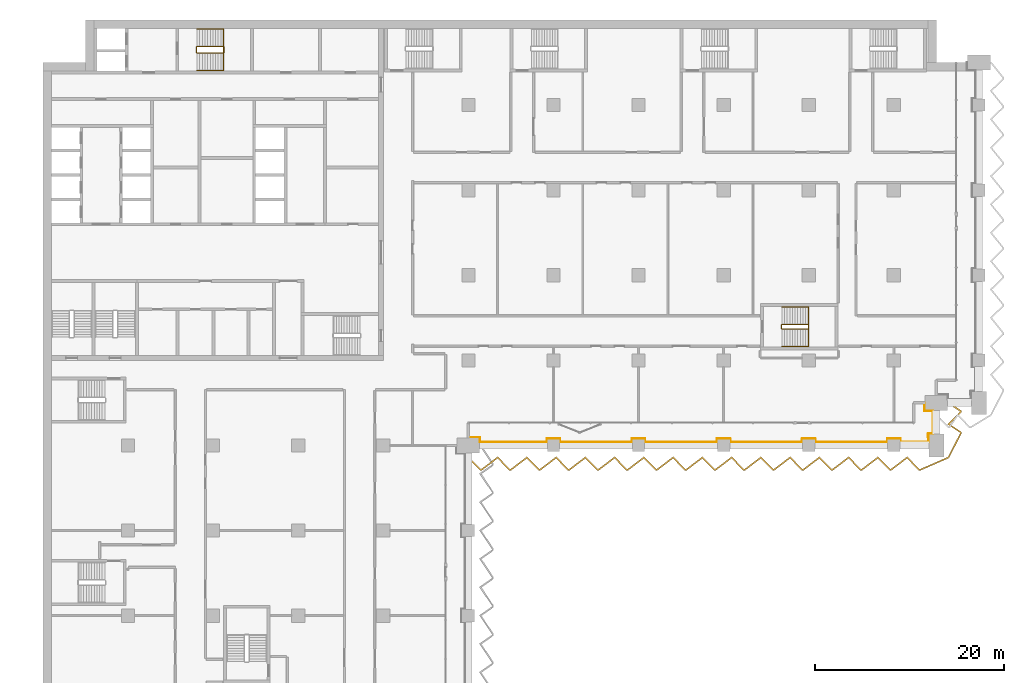
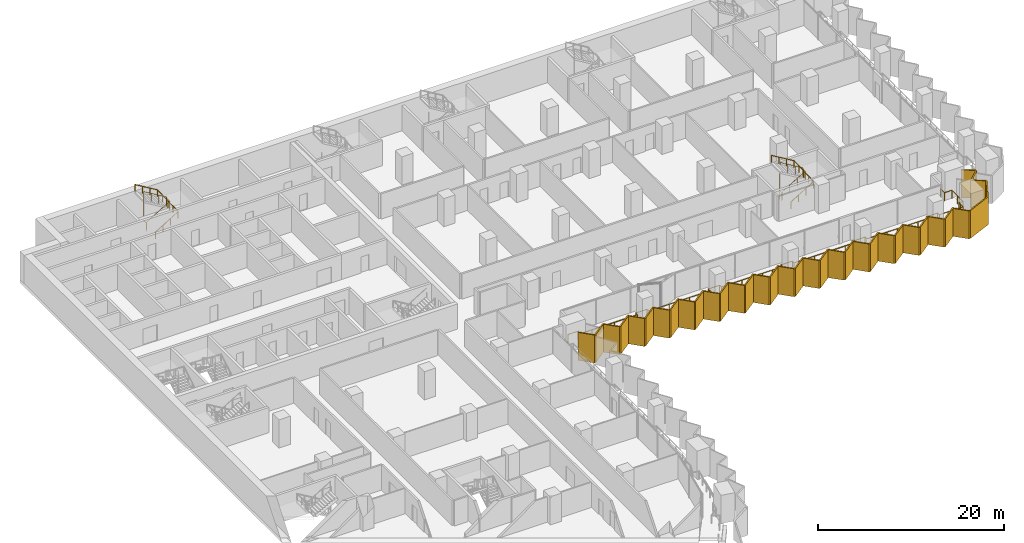
# One storey, part 26 of 28: 5 railings, 1 shading device.
"""IFC4 building model written with IfcOpenShell, lengths in metres."""

import ifcopenshell
import ifcopenshell.guid

model = None  # the IFC model being written
_history = None  # IfcOwnerHistory: only IFC2X3 demands one
_inside = {}  # id of a spatial element -> (the spatial element, [elements in it])
_under = {}  # id of a project, library or spatial element -> (it, [spatial elements below it])
_declared = {}  # id of a project -> (the project, [libraries it declares])
_typed = {}  # id of a type object -> (the type object, [elements of that type])
_made_of = {}  # id of a material, layer set ... -> (it, [elements and type objects made of it])


def new_model(schema):
    """Start an empty IFC model of exactly this schema.

    Asked for "IFC4X3", IfcOpenShell would pick the latest addendum, in which some entities
    have other attributes; the version numbers below select the first issue.
    IFC2X3 requires an IfcOwnerHistory on every rooted entity: one is made here for all.
    """
    global model, _history
    if schema == "IFC4X3":
        model = ifcopenshell.file(schema_version=(4, 3, 0, 0))
    else:
        model = ifcopenshell.file(schema=schema)
    _inside.clear()
    _under.clear()
    _declared.clear()
    _typed.clear()
    _made_of.clear()
    _history = None
    if model.schema == "IFC2X3":
        org = make("IfcOrganization", Name="unknown")
        user = make(
            "IfcPersonAndOrganization",
            ThePerson=make("IfcPerson", FamilyName="unknown"),
            TheOrganization=org,
        )
        app = make(
            "IfcApplication",
            ApplicationDeveloper=org,
            Version="unknown",
            ApplicationFullName="unknown",
            ApplicationIdentifier="unknown",
        )
        _history = make(
            "IfcOwnerHistory",
            OwningUser=user,
            OwningApplication=app,
            ChangeAction="ADDED",
            CreationDate=0,
        )
    return model


def make(cls, **values):
    """One entity of the class cls with the attributes given. An attribute that is None is left unset."""
    return model.create_entity(
        cls, **{name: value for name, value in values.items() if value is not None}
    )


def rooted(cls, **values):
    """An entity with a GlobalId (a new one), such as an element, a storey or a relation."""
    return make(cls, GlobalId=ifcopenshell.guid.new(), OwnerHistory=_history, **values)


def si_unit(unit_type, name, prefix=None):
    """IfcSIUnit, for example si_unit("LENGTHUNIT", "METRE", prefix="MILLI")."""
    return make("IfcSIUnit", UnitType=unit_type, Prefix=prefix, Name=name)


def assignment(units):
    """IfcUnitAssignment: the units of a project."""
    return None if units is None else make("IfcUnitAssignment", Units=units)


def point(xyz):
    """IfcCartesianPoint."""
    return None if xyz is None else make("IfcCartesianPoint", Coordinates=xyz)


def direction(xyz):
    """IfcDirection."""
    return None if xyz is None else make("IfcDirection", DirectionRatios=xyz)


def frame(location, z_axis=None, x_axis=None):
    """IfcAxis2Placement3D, a coordinate frame: its origin and axes. An axis left out is left unset."""
    return make(
        "IfcAxis2Placement3D",
        Location=point(location),
        Axis=direction(z_axis),
        RefDirection=direction(x_axis),
    )


def frame_2d(location, x_axis=None):
    """IfcAxis2Placement2D, a coordinate frame in the plane: its origin and x axis."""
    return make(
        "IfcAxis2Placement2D", Location=point(location), RefDirection=direction(x_axis)
    )


def origin():
    """The frame at (0, 0, 0) with its axes left unset."""
    return frame((0.0, 0.0, 0.0))


def origin_2d():
    """The frame at (0, 0) in the plane with its x axis left unset."""
    return frame_2d((0.0, 0.0))


def place(relative_to, where):
    """IfcLocalPlacement: puts the frame where relative to a parent placement (None: the world)."""
    return make(
        "IfcLocalPlacement", PlacementRelTo=relative_to, RelativePlacement=where
    )


def context(
    kind, dimensions, precision=None, world=None, true_north=None, identifier=None
):
    """IfcGeometricRepresentationContext, for example the 3D "Model" context."""
    return make(
        "IfcGeometricRepresentationContext",
        ContextIdentifier=identifier,
        ContextType=kind,
        CoordinateSpaceDimension=dimensions,
        Precision=precision,
        WorldCoordinateSystem=world,
        TrueNorth=true_north,
    )


def subcontext(parent, identifier, kind, view, scale=None):
    """IfcGeometricRepresentationSubContext, for example "Body" below "Model"."""
    return make(
        "IfcGeometricRepresentationSubContext",
        ContextIdentifier=identifier,
        ContextType=kind,
        ParentContext=parent,
        TargetScale=scale,
        TargetView=view,
    )


def project(units=None, contexts=None):
    """IfcProject with its units and contexts."""
    return rooted(
        "IfcProject",
        Name="project",
        RepresentationContexts=contexts,
        UnitsInContext=assignment(units),
    )


def spatial(cls, under=None, at=None, **own):
    """A site, building, storey or space (cls), placed at a placement, below another one or the project."""
    s = rooted(cls, ObjectPlacement=at, **own)
    if under is not None:
        _under.setdefault(under.id(), (under, []))[1].append(s)
    return s


def polyline(points):
    """IfcPolyline through the points."""
    return make("IfcPolyline", Points=[point(p) for p in points])


def profile(cls, at=None, kind="AREA", **sizes):
    """A parametric profile (cls). Its sizes go by their IFC names, for example OverallWidth=200.0."""
    return make(cls, ProfileType=kind, Position=at, **sizes)


def circle(**sizes):
    """IfcCircleProfileDef."""
    return profile("IfcCircleProfileDef", **sizes)


def outline(outer, holes=None, kind="AREA"):
    """IfcArbitraryClosedProfileDef: a profile drawn as a closed curve; with holes, ...WithVoids."""
    if holes is None:
        return make("IfcArbitraryClosedProfileDef", ProfileType=kind, OuterCurve=outer)
    return make(
        "IfcArbitraryProfileDefWithVoids",
        ProfileType=kind,
        OuterCurve=outer,
        InnerCurves=holes,
    )


def extrude(swept, where, along, depth):
    """IfcExtrudedAreaSolid: the profile swept, set in the frame where, extruded along a direction by depth."""
    return make(
        "IfcExtrudedAreaSolid",
        SweptArea=swept,
        Position=where,
        ExtrudedDirection=direction(along),
        Depth=depth,
    )


def shape(context_of_items, identifier, shape_type, items):
    """IfcShapeRepresentation: the items that make up one representation, for example the "Body"."""
    return make(
        "IfcShapeRepresentation",
        ContextOfItems=context_of_items,
        RepresentationIdentifier=identifier,
        RepresentationType=shape_type,
        Items=items,
    )


def material(Name=None, Category=None):
    """IfcMaterial."""
    return make("IfcMaterial", Name=Name, Category=Category)


def layer(
    of_material, thickness, ventilated=None, Name=None, Category=None, Priority=None
):
    """IfcMaterialLayer: one layer of a wall or slab, of a material (None: an air gap)."""
    return make(
        "IfcMaterialLayer",
        Material=of_material,
        LayerThickness=thickness,
        IsVentilated=ventilated,
        Name=Name,
        Category=Category,
        Priority=Priority,
    )


def layer_set(layers, Name=None):
    """IfcMaterialLayerSet."""
    return make("IfcMaterialLayerSet", MaterialLayers=layers, LayerSetName=Name)


def made_of(thing, what):
    """Note that an element or type object is made of a material, layer set ...; save() writes the relation."""
    if what is not None:
        _made_of.setdefault(what.id(), (what, []))[1].append(thing)
    return thing


def type_object(cls, material=None, **own):
    """A type object (cls), such as IfcWallType, which elements share."""
    return made_of(rooted(cls, **own), material)


def element(
    cls,
    number,
    at=None,
    inside=None,
    cuts=None,
    type_object=None,
    material=None,
    context=None,
    identifier="Body",
    shape_type=None,
    held_by="IfcProductDefinitionShape",
    body=None,
    shapes=None,
    **own,
):
    """One element of the class cls, such as IfcWall. Its Tag is "e" and its number.

    at: its placement. inside: the storey or other place that contains it. cuts: it is an
    opening in that element (IfcRelVoidsElement). A single representation is given by context,
    identifier, shape_type and body (its items); several are given by shapes. held_by: the class
    of the entity that holds the representations. save() writes the other relations.
    """
    e = rooted(cls, Tag="e%d" % number, ObjectPlacement=at, **own)
    if body is not None:
        shapes = [shape(context, identifier, shape_type, body)]
    if shapes is not None:
        e.Representation = make(held_by, Representations=shapes)
    if inside is not None:
        _inside.setdefault(inside.id(), (inside, []))[1].append(e)
    if cuts is not None:
        rooted(
            "IfcRelVoidsElement", RelatingBuildingElement=cuts, RelatedOpeningElement=e
        )
    if type_object is not None:
        _typed.setdefault(type_object.id(), (type_object, []))[1].append(e)
    return made_of(e, material)


def aggregate(whole, parts):
    """IfcRelAggregates: a whole, such as a stair, and the parts it consists of."""
    return rooted("IfcRelAggregates", RelatingObject=whole, RelatedObjects=parts)


def save(model, path):
    """Write the relations noted so far, then the file.

    IfcRelAggregates (storeys below a building ...), IfcRelContainedInSpatialStructure (elements
    in a storey), IfcRelDefinesByType, IfcRelAssociatesMaterial and IfcRelDeclares: one each for
    every whole, place, type object, material and project.
    """
    for whole, parts in _under.values():
        aggregate(whole, parts)
    for where, things in _inside.values():
        rooted(
            "IfcRelContainedInSpatialStructure",
            RelatedElements=things,
            RelatingStructure=where,
        )
    for kind, things in _typed.values():
        rooted("IfcRelDefinesByType", RelatedObjects=things, RelatingType=kind)
    for what, things in _made_of.values():
        rooted("IfcRelAssociatesMaterial", RelatedObjects=things, RelatingMaterial=what)
    for by, libraries in _declared.values():
        rooted("IfcRelDeclares", RelatingContext=by, RelatedDefinitions=libraries)
    model.write(path)


model = new_model("IFC4")

# Units and contexts
model_context = context("Model", 3, precision=1e-05, world=origin(), true_north=direction((0.0, 1.0)))
body_context = subcontext(model_context, "Body", "Model", "MODEL_VIEW")
ifc_project = project(units=[si_unit("LENGTHUNIT", "METRE"), si_unit("AREAUNIT", "SQUARE_METRE"), si_unit("VOLUMEUNIT", "CUBIC_METRE"), si_unit("PLANEANGLEUNIT", "RADIAN"), si_unit("MASSUNIT", "GRAM", prefix="KILO")], contexts=[model_context])

# Site, building, storey
site_placement = place(None, origin())
site = spatial("IfcSite", under=ifc_project, at=site_placement, CompositionType="ELEMENT")
building_placement = place(site_placement, origin())
building = spatial("IfcBuilding", under=site, at=building_placement, Name="Hunhe Ridgeline Campus", CompositionType="ELEMENT")
storey_placement = place(building_placement, frame((0.0, 0.0, 39.5)))
storey = spatial("IfcBuildingStorey", under=building, at=storey_placement, Name="L08", CompositionType="ELEMENT", Elevation=39.5)

# Railing
ifc_material_1 = material(Name="Steel Q355", Category="steel")
railing_type_1 = type_object("IfcRailingType", Name="Loggia guard 1100 Steel Q355", PredefinedType="GUARDRAIL", material=ifc_material_1)
railing_1_placement = place(storey_placement, frame((45.0, 54.8701171875, 0.0)))
element("IfcRailing", 1, at=railing_1_placement, inside=storey, type_object=railing_type_1, Name="Loggia guard 2", PredefinedType="GUARDRAIL", context=body_context, shape_type="SweptSolid", body=[
    extrude(circle(Radius=0.02392578125, at=origin_2d()), frame((0.0, 0.0, 1.076171875), z_axis=(1.0, 0.0, 0.0), x_axis=(0.0, 1.0, 0.0)), (0.0, 0.0, 1.0), 1.25),
    extrude(circle(Radius=0.02392578125, at=origin_2d()), frame((1.25, 0.0, 1.076171875), z_axis=(0.0, -1.0, 0.0), x_axis=(1.0, 0.0, 0.0)), (0.0, 0.0, 1.0), 0.52001953125),
    extrude(circle(Radius=0.02392578125, at=origin_2d()), frame((1.25, -0.52001953125, 1.076171875), z_axis=(1.0, 0.0, 0.0), x_axis=(0.0, 1.0, 0.0)), (0.0, 0.0, 1.0), 7.050048828125),
    extrude(circle(Radius=0.02392578125, at=origin_2d()), frame((8.300048828125, -0.52001953125, 1.076171875), z_axis=(0.0, 1.0, 0.0), x_axis=(-1.0, 0.0, 0.0)), (0.0, 0.0, 1.0), 0.369873046875),
    extrude(circle(Radius=0.02392578125, at=origin_2d()), frame((8.300048828125, -0.150146484375, 1.076171875), z_axis=(1.0, 0.0, 0.0), x_axis=(0.0, 1.0, 0.0)), (0.0, 0.0, 1.0), 1.39990234375),
    extrude(circle(Radius=0.02392578125, at=origin_2d()), frame((9.699951171875, -0.150146484375, 1.076171875), z_axis=(0.0, -1.0, 0.0), x_axis=(1.0, 0.0, 0.0)), (0.0, 0.0, 1.0), 0.369873046875),
    extrude(circle(Radius=0.02392578125, at=origin_2d()), frame((9.699951171875, -0.52001953125, 1.076171875), z_axis=(1.0, 0.0, 0.0), x_axis=(0.0, 1.0, 0.0)), (0.0, 0.0, 1.0), 7.60009765625),
    extrude(circle(Radius=0.02392578125, at=origin_2d()), frame((17.300048828125, -0.52001953125, 1.076171875), z_axis=(0.0, 1.0, 0.0), x_axis=(-1.0, 0.0, 0.0)), (0.0, 0.0, 1.0), 0.369873046875),
    extrude(circle(Radius=0.02392578125, at=origin_2d()), frame((17.300048828125, -0.150146484375, 1.076171875), z_axis=(1.0, 0.0, 0.0), x_axis=(0.0, 1.0, 0.0)), (0.0, 0.0, 1.0), 1.39990234375),
    extrude(circle(Radius=0.02392578125, at=origin_2d()), frame((18.699951171875, -0.150146484375, 1.076171875), z_axis=(0.0, -1.0, 0.0), x_axis=(1.0, 0.0, 0.0)), (0.0, 0.0, 1.0), 0.369873046875),
    extrude(circle(Radius=0.02392578125, at=origin_2d()), frame((18.699951171875, -0.52001953125, 1.076171875), z_axis=(1.0, 0.0, 0.0), x_axis=(0.0, 1.0, 0.0)), (0.0, 0.0, 1.0), 7.60009765625),
    extrude(circle(Radius=0.02392578125, at=origin_2d()), frame((26.300048828125, -0.52001953125, 1.076171875), z_axis=(0.0, 1.0, 0.0), x_axis=(-1.0, 0.0, 0.0)), (0.0, 0.0, 1.0), 0.369873046875),
    extrude(circle(Radius=0.02392578125, at=origin_2d()), frame((26.300048828125, -0.150146484375, 1.076171875), z_axis=(1.0, 0.0, 0.0), x_axis=(0.0, 1.0, 0.0)), (0.0, 0.0, 1.0), 1.39990234375),
    extrude(circle(Radius=0.02392578125, at=origin_2d()), frame((27.699951171875, -0.150146484375, 1.076171875), z_axis=(0.0, -1.0, 0.0), x_axis=(1.0, 0.0, 0.0)), (0.0, 0.0, 1.0), 0.369873046875),
    extrude(circle(Radius=0.02392578125, at=origin_2d()), frame((27.699951171875, -0.52001953125, 1.076171875), z_axis=(1.0, 0.0, 0.0), x_axis=(0.0, 1.0, 0.0)), (0.0, 0.0, 1.0), 7.60009765625),
    extrude(circle(Radius=0.02392578125, at=origin_2d()), frame((35.300048828125, -0.52001953125, 1.076171875), z_axis=(0.0, 1.0, 0.0), x_axis=(-1.0, 0.0, 0.0)), (0.0, 0.0, 1.0), 0.369873046875),
    extrude(circle(Radius=0.02392578125, at=origin_2d()), frame((35.300048828125, -0.150146484375, 1.076171875), z_axis=(1.0, 0.0, 0.0), x_axis=(0.0, 1.0, 0.0)), (0.0, 0.0, 1.0), 1.39990234375),
    extrude(circle(Radius=0.02392578125, at=origin_2d()), frame((36.699951171875, -0.150146484375, 1.076171875), z_axis=(0.0, -1.0, 0.0), x_axis=(1.0, 0.0, 0.0)), (0.0, 0.0, 1.0), 0.369873046875),
    extrude(circle(Radius=0.02392578125, at=origin_2d()), frame((36.699951171875, -0.52001953125, 1.076171875), z_axis=(1.0, 0.0, 0.0), x_axis=(0.0, 1.0, 0.0)), (0.0, 0.0, 1.0), 7.60009765625),
    extrude(circle(Radius=0.02392578125, at=origin_2d()), frame((44.300048828125, -0.52001953125, 1.076171875), z_axis=(0.0, 1.0, 0.0), x_axis=(-1.0, 0.0, 0.0)), (0.0, 0.0, 1.0), 0.369873046875),
    extrude(circle(Radius=0.02392578125, at=origin_2d()), frame((44.300048828125, -0.150146484375, 1.076171875), z_axis=(1.0, 0.0, 0.0), x_axis=(0.0, 1.0, 0.0)), (0.0, 0.0, 1.0), 1.39990234375),
    extrude(circle(Radius=0.02392578125, at=origin_2d()), frame((45.699951171875, -0.150146484375, 1.076171875), z_axis=(0.0, -1.0, 0.0), x_axis=(1.0, 0.0, 0.0)), (0.0, 0.0, 1.0), 0.369873046875),
    extrude(circle(Radius=0.02392578125, at=origin_2d()), frame((45.699951171875, -0.52001953125, 1.076171875), z_axis=(1.0, 0.0, 0.0), x_axis=(0.0, 1.0, 0.0)), (0.0, 0.0, 1.0), 2.949951171875),
    extrude(circle(Radius=0.02392578125, at=origin_2d()), frame((48.64990234375, -0.52001953125, 1.076171875), z_axis=(0.0, 1.0, 0.0), x_axis=(-1.0, 0.0, 0.0)), (0.0, 0.0, 1.0), 0.919921875),
    extrude(circle(Radius=0.02392578125, at=origin_2d()), frame((48.64990234375, 0.39990234375, 1.076171875), z_axis=(-0.049998438503, -0.998749295943, 0.0), x_axis=(0.998749295943, -0.049998438503, 0.0)), (0.0, 0.0, 1.0), 0.400390625),
    extrude(circle(Radius=0.02392578125, at=origin_2d()), frame((48.6298828125, 0.0, 1.076171875), z_axis=(0.0, 1.0, 0.0), x_axis=(-1.0, 0.0, 0.0)), (0.0, 0.0, 1.0), 0.3798828125),
    extrude(circle(Radius=0.02392578125, at=origin_2d()), frame((48.6298828125, 0.3798828125, 1.076171875), z_axis=(1.0, 0.0, 0.0), x_axis=(0.0, 1.0, 0.0)), (0.0, 0.0, 1.0), 0.52001953125),
    extrude(circle(Radius=0.02392578125, at=origin_2d()), frame((49.14990234375, 0.3798828125, 1.076171875), z_axis=(0.0, 1.0, 0.0), x_axis=(-1.0, 0.0, 0.0)), (0.0, 0.0, 1.0), 2.39990234375),
    extrude(circle(Radius=0.02392578125, at=origin_2d()), frame((49.14990234375, 2.77978515625, 1.076171875), z_axis=(-1.0, 0.0, 0.0), x_axis=(0.0, -1.0, 0.0)), (0.0, 0.0, 1.0), 0.919921875),
    extrude(circle(Radius=0.02392578125, at=origin_2d()), frame((48.22998046875, 2.77978515625, 1.076171875), z_axis=(0.0, 1.0, 0.0), x_axis=(-1.0, 0.0, 0.0)), (0.0, 0.0, 1.0), 0.85009765625),
    extrude(circle(Radius=0.02099609375, at=origin_2d()), origin(), (0.0, 0.0, 1.0), 1.052001953125),
    extrude(circle(Radius=0.02099609375, at=origin_2d()), frame((1.25, 0.0, 0.0)), (0.0, 0.0, 1.0), 1.052001953125),
    extrude(circle(Radius=0.02099609375, at=origin_2d()), frame((1.25, -0.52001953125, 0.0)), (0.0, 0.0, 1.0), 1.052001953125),
    extrude(circle(Radius=0.02099609375, at=origin_2d()), frame((2.659912109375, -0.52001953125, 0.0)), (0.0, 0.0, 1.0), 1.052001953125),
    extrude(circle(Radius=0.02099609375, at=origin_2d()), frame((4.070068359375, -0.52001953125, 0.0)), (0.0, 0.0, 1.0), 1.052001953125),
    extrude(circle(Radius=0.02099609375, at=origin_2d()), frame((5.47998046875, -0.52001953125, 0.0)), (0.0, 0.0, 1.0), 1.052001953125),
    extrude(circle(Radius=0.02099609375, at=origin_2d()), frame((6.89013671875, -0.52001953125, 0.0)), (0.0, 0.0, 1.0), 1.052001953125),
    extrude(circle(Radius=0.02099609375, at=origin_2d()), frame((8.300048828125, -0.52001953125, 0.0)), (0.0, 0.0, 1.0), 1.052001953125),
    extrude(circle(Radius=0.02099609375, at=origin_2d()), frame((8.300048828125, -0.150146484375, 0.0)), (0.0, 0.0, 1.0), 1.052001953125),
    extrude(circle(Radius=0.02099609375, at=origin_2d()), frame((9.699951171875, -0.150146484375, 0.0)), (0.0, 0.0, 1.0), 1.052001953125),
    extrude(circle(Radius=0.02099609375, at=origin_2d()), frame((9.699951171875, -0.52001953125, 0.0)), (0.0, 0.0, 1.0), 1.052001953125),
    extrude(circle(Radius=0.02099609375, at=origin_2d()), frame((10.966552734375, -0.52001953125, 0.0)), (0.0, 0.0, 1.0), 1.052001953125),
    extrude(circle(Radius=0.02099609375, at=origin_2d()), frame((12.2333984375, -0.52001953125, 0.0)), (0.0, 0.0, 1.0), 1.052001953125),
    extrude(circle(Radius=0.02099609375, at=origin_2d()), frame((13.5, -0.52001953125, 0.0)), (0.0, 0.0, 1.0), 1.052001953125),
    extrude(circle(Radius=0.02099609375, at=origin_2d()), frame((14.7666015625, -0.52001953125, 0.0)), (0.0, 0.0, 1.0), 1.052001953125),
    extrude(circle(Radius=0.02099609375, at=origin_2d()), frame((16.033447265625, -0.52001953125, 0.0)), (0.0, 0.0, 1.0), 1.052001953125),
    extrude(circle(Radius=0.02099609375, at=origin_2d()), frame((17.300048828125, -0.52001953125, 0.0)), (0.0, 0.0, 1.0), 1.052001953125),
    extrude(circle(Radius=0.02099609375, at=origin_2d()), frame((17.300048828125, -0.150146484375, 0.0)), (0.0, 0.0, 1.0), 1.052001953125),
    extrude(circle(Radius=0.02099609375, at=origin_2d()), frame((18.699951171875, -0.150146484375, 0.0)), (0.0, 0.0, 1.0), 1.052001953125),
    extrude(circle(Radius=0.02099609375, at=origin_2d()), frame((18.699951171875, -0.52001953125, 0.0)), (0.0, 0.0, 1.0), 1.052001953125),
    extrude(circle(Radius=0.02099609375, at=origin_2d()), frame((19.966552734375, -0.52001953125, 0.0)), (0.0, 0.0, 1.0), 1.052001953125),
    extrude(circle(Radius=0.02099609375, at=origin_2d()), frame((21.2333984375, -0.52001953125, 0.0)), (0.0, 0.0, 1.0), 1.052001953125),
    extrude(circle(Radius=0.02099609375, at=origin_2d()), frame((22.5, -0.52001953125, 0.0)), (0.0, 0.0, 1.0), 1.052001953125),
    extrude(circle(Radius=0.02099609375, at=origin_2d()), frame((23.7666015625, -0.52001953125, 0.0)), (0.0, 0.0, 1.0), 1.052001953125),
    extrude(circle(Radius=0.02099609375, at=origin_2d()), frame((25.033447265625, -0.52001953125, 0.0)), (0.0, 0.0, 1.0), 1.052001953125),
    extrude(circle(Radius=0.02099609375, at=origin_2d()), frame((26.300048828125, -0.52001953125, 0.0)), (0.0, 0.0, 1.0), 1.052001953125),
    extrude(circle(Radius=0.02099609375, at=origin_2d()), frame((26.300048828125, -0.150146484375, 0.0)), (0.0, 0.0, 1.0), 1.052001953125),
    extrude(circle(Radius=0.02099609375, at=origin_2d()), frame((27.699951171875, -0.150146484375, 0.0)), (0.0, 0.0, 1.0), 1.052001953125),
    extrude(circle(Radius=0.02099609375, at=origin_2d()), frame((27.699951171875, -0.52001953125, 0.0)), (0.0, 0.0, 1.0), 1.052001953125),
    extrude(circle(Radius=0.02099609375, at=origin_2d()), frame((28.966552734375, -0.52001953125, 0.0)), (0.0, 0.0, 1.0), 1.052001953125),
    extrude(circle(Radius=0.02099609375, at=origin_2d()), frame((30.2333984375, -0.52001953125, 0.0)), (0.0, 0.0, 1.0), 1.052001953125),
    extrude(circle(Radius=0.02099609375, at=origin_2d()), frame((31.5, -0.52001953125, 0.0)), (0.0, 0.0, 1.0), 1.052001953125),
    extrude(circle(Radius=0.02099609375, at=origin_2d()), frame((32.7666015625, -0.52001953125, 0.0)), (0.0, 0.0, 1.0), 1.052001953125),
    extrude(circle(Radius=0.02099609375, at=origin_2d()), frame((34.033447265625, -0.52001953125, 0.0)), (0.0, 0.0, 1.0), 1.052001953125),
    extrude(circle(Radius=0.02099609375, at=origin_2d()), frame((35.300048828125, -0.52001953125, 0.0)), (0.0, 0.0, 1.0), 1.052001953125),
    extrude(circle(Radius=0.02099609375, at=origin_2d()), frame((35.300048828125, -0.150146484375, 0.0)), (0.0, 0.0, 1.0), 1.052001953125),
    extrude(circle(Radius=0.02099609375, at=origin_2d()), frame((36.699951171875, -0.150146484375, 0.0)), (0.0, 0.0, 1.0), 1.052001953125),
    extrude(circle(Radius=0.02099609375, at=origin_2d()), frame((36.699951171875, -0.52001953125, 0.0)), (0.0, 0.0, 1.0), 1.052001953125),
    extrude(circle(Radius=0.02099609375, at=origin_2d()), frame((37.966552734375, -0.52001953125, 0.0)), (0.0, 0.0, 1.0), 1.052001953125),
    extrude(circle(Radius=0.02099609375, at=origin_2d()), frame((39.2333984375, -0.52001953125, 0.0)), (0.0, 0.0, 1.0), 1.052001953125),
    extrude(circle(Radius=0.02099609375, at=origin_2d()), frame((40.5, -0.52001953125, 0.0)), (0.0, 0.0, 1.0), 1.052001953125),
    extrude(circle(Radius=0.02099609375, at=origin_2d()), frame((41.7666015625, -0.52001953125, 0.0)), (0.0, 0.0, 1.0), 1.052001953125),
    extrude(circle(Radius=0.02099609375, at=origin_2d()), frame((43.033447265625, -0.52001953125, 0.0)), (0.0, 0.0, 1.0), 1.052001953125),
    extrude(circle(Radius=0.02099609375, at=origin_2d()), frame((44.300048828125, -0.52001953125, 0.0)), (0.0, 0.0, 1.0), 1.052001953125),
    extrude(circle(Radius=0.02099609375, at=origin_2d()), frame((44.300048828125, -0.150146484375, 0.0)), (0.0, 0.0, 1.0), 1.052001953125),
    extrude(circle(Radius=0.02099609375, at=origin_2d()), frame((45.699951171875, -0.150146484375, 0.0)), (0.0, 0.0, 1.0), 1.052001953125),
    extrude(circle(Radius=0.02099609375, at=origin_2d()), frame((45.699951171875, -0.52001953125, 0.0)), (0.0, 0.0, 1.0), 1.052001953125),
    extrude(circle(Radius=0.02099609375, at=origin_2d()), frame((47.1748046875, -0.52001953125, 0.0)), (0.0, 0.0, 1.0), 1.052001953125),
    extrude(circle(Radius=0.02099609375, at=origin_2d()), frame((48.64990234375, -0.52001953125, 0.0)), (0.0, 0.0, 1.0), 1.052001953125),
    extrude(circle(Radius=0.02099609375, at=origin_2d()), frame((48.64990234375, 0.39990234375, 0.0)), (0.0, 0.0, 1.0), 1.052001953125),
    extrude(circle(Radius=0.02099609375, at=origin_2d()), frame((48.6298828125, 0.0, 0.0)), (0.0, 0.0, 1.0), 1.052001953125),
    extrude(circle(Radius=0.02099609375, at=origin_2d()), frame((48.6298828125, 0.3798828125, 0.0)), (0.0, 0.0, 1.0), 1.052001953125),
    extrude(circle(Radius=0.02099609375, at=origin_2d()), frame((49.14990234375, 0.3798828125, 0.0)), (0.0, 0.0, 1.0), 1.052001953125),
    extrude(circle(Radius=0.02099609375, at=origin_2d()), frame((49.14990234375, 1.579833984375, 0.0)), (0.0, 0.0, 1.0), 1.052001953125),
    extrude(circle(Radius=0.02099609375, at=origin_2d()), frame((49.14990234375, 2.77978515625, 0.0)), (0.0, 0.0, 1.0), 1.052001953125),
    extrude(circle(Radius=0.02099609375, at=origin_2d()), frame((48.22998046875, 2.77978515625, 0.0)), (0.0, 0.0, 1.0), 1.052001953125),
    extrude(circle(Radius=0.02099609375, at=origin_2d()), frame((48.22998046875, 3.6298828125, 0.0)), (0.0, 0.0, 1.0), 1.052001953125),
])

# Shading device
ifc_material_2 = material(Name="Concrete C50", Category="concrete")
ifc_layer = layer(ifc_material_2, 0.14990234375)
ifc_layer_set = layer_set([ifc_layer], Name="Sawtooth concrete fin 150 Concrete C50")
shading_device_type = type_object("IfcShadingDeviceType", Name="Sawtooth concrete fin 150 Concrete C50", PredefinedType="USERDEFINED", material=ifc_layer_set)
shading_device_placement = place(storey_placement, frame((0.0, 0.0, -0.949951171875)))
element("IfcShadingDevice", 2, at=shading_device_placement, inside=storey, type_object=shading_device_type, Name="Concrete fin screen 2", ObjectType="FIN", PredefinedType="USERDEFINED", context=body_context, shape_type="SweptSolid", body=[
    extrude(outline(polyline([(45.0537109375, 52.77734375), (44.9462890625, 52.672607421875), (46.23583984375, 51.35009765625), (46.412841796875, 51.35009765625), (48.08642578125, 52.625), (49.32958984375, 51.35009765625), (49.506591796875, 51.35009765625), (51.18017578125, 52.625), (52.42333984375, 51.35009765625), (52.600341796875, 51.35009765625), (54.27392578125, 52.625), (55.51708984375, 51.35009765625), (55.694091796875, 51.35009765625), (57.36767578125, 52.625), (58.61083984375, 51.35009765625), (58.787841796875, 51.35009765625), (60.46142578125, 52.625), (61.70458984375, 51.35009765625), (61.881591796875, 51.35009765625), (63.55517578125, 52.625), (64.79833984375, 51.35009765625), (64.975341796875, 51.35009765625), (66.64892578125, 52.625), (67.89208984375, 51.35009765625), (68.069091796875, 51.35009765625), (69.74267578125, 52.625), (70.98583984375, 51.35009765625), (71.162841796875, 51.35009765625), (72.83642578125, 52.625), (74.07958984375, 51.35009765625), (74.256591796875, 51.35009765625), (75.93017578125, 52.625), (77.17333984375, 51.35009765625), (77.350341796875, 51.35009765625), (79.02392578125, 52.625), (80.26708984375, 51.35009765625), (80.444091796875, 51.35009765625), (82.11767578125, 52.625), (83.36083984375, 51.35009765625), (83.537841796875, 51.35009765625), (85.21142578125, 52.625), (86.45458984375, 51.35009765625), (86.631591796875, 51.35009765625), (88.30517578125, 52.625), (89.54833984375, 51.35009765625), (89.725341796875, 51.35009765625), (91.39892578125, 52.625), (92.64208984375, 51.35009765625), (92.809326171875, 51.35009765625), (95.82958984375, 52.6669921875), (97.14990234375, 55.24951171875), (97.14990234375, 55.427734375), (95.893798828125, 56.26123046875), (97.14990234375, 57.48583984375), (97.14990234375, 57.677734375), (95.81640625, 58.5625), (95.733642578125, 58.4375), (97.0, 57.59716796875), (97.0, 57.549072265625), (95.65625, 56.23876953125), (97.0, 55.34716796875), (97.0, 55.28564453125), (95.720458984375, 52.782958984375), (92.778076171875, 51.5), (92.705322265625, 51.5), (91.41357421875, 52.824951171875), (89.6748046875, 51.5), (89.611572265625, 51.5), (88.31982421875, 52.824951171875), (86.5810546875, 51.5), (86.517822265625, 51.5), (85.22607421875, 52.824951171875), (83.4873046875, 51.5), (83.424072265625, 51.5), (82.13232421875, 52.824951171875), (80.3935546875, 51.5), (80.330322265625, 51.5), (79.03857421875, 52.824951171875), (77.2998046875, 51.5), (77.236572265625, 51.5), (75.94482421875, 52.824951171875), (74.2060546875, 51.5), (74.142822265625, 51.5), (72.85107421875, 52.824951171875), (71.1123046875, 51.5), (71.049072265625, 51.5), (69.75732421875, 52.824951171875), (68.0185546875, 51.5), (67.955322265625, 51.5), (66.66357421875, 52.824951171875), (64.9248046875, 51.5), (64.861572265625, 51.5), (63.56982421875, 52.824951171875), (61.8310546875, 51.5), (61.767822265625, 51.5), (60.47607421875, 52.824951171875), (58.7373046875, 51.5), (58.674072265625, 51.5), (57.38232421875, 52.824951171875), (55.6435546875, 51.5), (55.580322265625, 51.5), (54.28857421875, 52.824951171875), (52.5498046875, 51.5), (52.486572265625, 51.5), (51.19482421875, 52.824951171875), (49.4560546875, 51.5), (49.392822265625, 51.5), (48.10107421875, 52.824951171875), (46.3623046875, 51.5), (46.299072265625, 51.5), (45.0537109375, 52.77734375)])), origin(), (0.0, 0.0, 1.0), 3.64990234375),
])

# Railings
ifc_material_3 = material(Name="Stainless steel balustrade", Category="steel")
railing_type_2 = type_object("IfcRailingType", Name="Stair guard 1100 stainless", PredefinedType="GUARDRAIL", material=ifc_material_3)
railing_2_placement = place(storey_placement, frame((16.300048828125, 95.5, 0.168212890625)))
element("IfcRailing", 3, at=railing_2_placement, inside=storey, type_object=railing_type_2, Name="L08 stair S1 guard", PredefinedType="GUARDRAIL", context=body_context, shape_type="SweptSolid", body=[
    extrude(circle(Radius=0.02392578125, at=origin_2d()), frame((0.0, 0.0, 1.076171875), z_axis=(0.857242210791, 0.0, 0.514913383045), x_axis=(0.0, 1.0, 0.0)), (0.0, 0.0, 1.0), 3.266357421875),
    extrude(circle(Radius=0.02392578125, at=origin_2d()), frame((2.800048828125, 0.0, 2.7578125), z_axis=(0.705375805398, 0.708833529934, 0.0), x_axis=(-0.708833529934, 0.705375805398, 0.0)), (0.0, 0.0, 1.0), 0.070556640625),
    extrude(circle(Radius=0.02392578125, at=origin_2d()), frame((2.849853515625, 0.050048828125, 2.7578125), z_axis=(0.0, 1.0, 0.0), x_axis=(-1.0, 0.0, 0.0)), (0.0, 0.0, 1.0), 0.599853515625),
    extrude(circle(Radius=0.02392578125, at=origin_2d()), frame((2.849853515625, 0.64990234375, 2.7578125), z_axis=(-0.273343290215, 0.274683208305, 0.921863645432), x_axis=(-0.708833529934, -0.705375805398, 0.0)), (0.0, 0.0, 1.0), 0.18212890625),
    extrude(circle(Radius=0.02392578125, at=origin_2d()), frame((2.800048828125, 0.699951171875, 2.92578125), z_axis=(-0.857242210791, 0.0, 0.514913383045), x_axis=(0.0, -1.0, 0.0)), (0.0, 0.0, 1.0), 3.266357421875),
    extrude(circle(Radius=0.02392578125, at=origin_2d()), frame((0.0, 0.699951171875, 4.60791015625), z_axis=(-0.013524414389, -0.013524414389, -0.999817073484), x_axis=(0.707106781187, -0.707106781187, 0.0)), (0.0, 0.0, 1.0), 3.70068359375),
    extrude(circle(Radius=0.02392578125, at=origin_2d()), frame((-0.050048828125, 0.64990234375, 0.90771484375), z_axis=(0.0, -1.0, 0.0), x_axis=(1.0, 0.0, 0.0)), (0.0, 0.0, 1.0), 0.599853515625),
    extrude(circle(Radius=0.02099609375, at=origin_2d()), origin(), (0.0, 0.0, 1.0), 1.052001953125),
    extrude(circle(Radius=0.02099609375, at=origin_2d()), frame((0.933349609375, 0.0, 0.560546875)), (0.0, 0.0, 1.0), 1.052001953125),
    extrude(circle(Radius=0.02099609375, at=origin_2d()), frame((1.86669921875, 0.0, 1.121337890625)), (0.0, 0.0, 1.0), 1.052001953125),
    extrude(circle(Radius=0.02099609375, at=origin_2d()), frame((2.800048828125, 0.0, 1.681884765625)), (0.0, 0.0, 1.0), 1.052001953125),
    extrude(circle(Radius=0.02099609375, at=origin_2d()), frame((2.849853515625, 0.050048828125, 1.681884765625)), (0.0, 0.0, 1.0), 1.052001953125),
    extrude(circle(Radius=0.02099609375, at=origin_2d()), frame((2.849853515625, 0.64990234375, 1.681884765625)), (0.0, 0.0, 1.0), 1.052001953125),
    extrude(circle(Radius=0.02099609375, at=origin_2d()), frame((2.800048828125, 0.699951171875, 1.849853515625)), (0.0, 0.0, 1.0), 1.052001953125),
    extrude(circle(Radius=0.02099609375, at=origin_2d()), frame((1.86669921875, 0.699951171875, 2.410400390625)), (0.0, 0.0, 1.0), 1.052001953125),
    extrude(circle(Radius=0.02099609375, at=origin_2d()), frame((0.933349609375, 0.699951171875, 2.97119140625)), (0.0, 0.0, 1.0), 1.052001953125),
    extrude(circle(Radius=0.02099609375, at=origin_2d()), frame((0.0, 0.699951171875, 3.53173828125)), (0.0, 0.0, 1.0), 1.052001953125),
    extrude(circle(Radius=0.02099609375, at=origin_2d()), frame((-0.012451171875, 0.6875, 2.606689453125)), (0.0, 0.0, 1.0), 1.052001953125),
    extrude(circle(Radius=0.02099609375, at=origin_2d()), frame((-0.02490234375, 0.6748046875, 1.681640625)), (0.0, 0.0, 1.0), 1.052001953125),
    extrude(circle(Radius=0.02099609375, at=origin_2d()), frame((-0.03759765625, 0.662353515625, 0.7568359375)), (0.0, 0.0, 1.0), 1.052001953125),
    extrude(circle(Radius=0.02099609375, at=origin_2d()), frame((-0.050048828125, 0.64990234375, -0.168212890625)), (0.0, 0.0, 1.0), 1.052001953125),
    extrude(circle(Radius=0.02099609375, at=origin_2d()), frame((-0.050048828125, 0.050048828125, -0.168212890625)), (0.0, 0.0, 1.0), 1.052001953125),
])
railing_3_placement = place(storey_placement, frame((78.14990234375, 66.300048828125, 0.168212890625)))
element("IfcRailing", 4, at=railing_3_placement, inside=storey, type_object=railing_type_2, Name="L08 stair E5 guard", PredefinedType="GUARDRAIL", context=body_context, shape_type="SweptSolid", body=[
    extrude(circle(Radius=0.02392578125, at=origin_2d()), frame((0.0, 0.0, 1.076171875), z_axis=(0.857242210791, 0.0, 0.514913383045), x_axis=(0.0, 1.0, 0.0)), (0.0, 0.0, 1.0), 3.266357421875),
    extrude(circle(Radius=0.02392578125, at=origin_2d()), frame((2.800048828125, 0.0, 2.7578125), z_axis=(0.707106781187, 0.707106781187, 0.0), x_axis=(-0.707106781187, 0.707106781187, 0.0)), (0.0, 0.0, 1.0), 0.07080078125),
    extrude(circle(Radius=0.02392578125, at=origin_2d()), frame((2.85009765625, 0.050048828125, 2.7578125), z_axis=(0.0, 1.0, 0.0), x_axis=(-1.0, 0.0, 0.0)), (0.0, 0.0, 1.0), 0.39990234375),
    extrude(circle(Radius=0.02392578125, at=origin_2d()), frame((2.85009765625, 0.449951171875, 2.7578125), z_axis=(-0.274582412415, 0.274582412415, 0.921525364591), x_axis=(-0.707106781187, -0.707106781187, 0.0)), (0.0, 0.0, 1.0), 0.182373046875),
    extrude(circle(Radius=0.02392578125, at=origin_2d()), frame((2.800048828125, 0.5, 2.92578125), z_axis=(-0.857242210791, 0.0, 0.514913383045), x_axis=(0.0, -1.0, 0.0)), (0.0, 0.0, 1.0), 3.266357421875),
    extrude(circle(Radius=0.02392578125, at=origin_2d()), frame((0.0, 0.5, 4.60791015625), z_axis=(-0.013458453615, -0.013524426427, -0.999817963389), x_axis=(0.708833529934, -0.705375805398, 0.0)), (0.0, 0.0, 1.0), 3.70068359375),
    extrude(circle(Radius=0.02392578125, at=origin_2d()), frame((-0.0498046875, 0.449951171875, 0.90771484375), z_axis=(0.0, -1.0, 0.0), x_axis=(1.0, 0.0, 0.0)), (0.0, 0.0, 1.0), 0.39990234375),
    extrude(circle(Radius=0.02099609375, at=origin_2d()), origin(), (0.0, 0.0, 1.0), 1.052001953125),
    extrude(circle(Radius=0.02099609375, at=origin_2d()), frame((0.933349609375, 0.0, 0.560546875)), (0.0, 0.0, 1.0), 1.052001953125),
    extrude(circle(Radius=0.02099609375, at=origin_2d()), frame((1.86669921875, 0.0, 1.121337890625)), (0.0, 0.0, 1.0), 1.052001953125),
    extrude(circle(Radius=0.02099609375, at=origin_2d()), frame((2.800048828125, 0.0, 1.681884765625)), (0.0, 0.0, 1.0), 1.052001953125),
    extrude(circle(Radius=0.02099609375, at=origin_2d()), frame((2.85009765625, 0.050048828125, 1.681884765625)), (0.0, 0.0, 1.0), 1.052001953125),
    extrude(circle(Radius=0.02099609375, at=origin_2d()), frame((2.85009765625, 0.449951171875, 1.681884765625)), (0.0, 0.0, 1.0), 1.052001953125),
    extrude(circle(Radius=0.02099609375, at=origin_2d()), frame((2.800048828125, 0.5, 1.849853515625)), (0.0, 0.0, 1.0), 1.052001953125),
    extrude(circle(Radius=0.02099609375, at=origin_2d()), frame((1.86669921875, 0.5, 2.410400390625)), (0.0, 0.0, 1.0), 1.052001953125),
    extrude(circle(Radius=0.02099609375, at=origin_2d()), frame((0.933349609375, 0.5, 2.97119140625)), (0.0, 0.0, 1.0), 1.052001953125),
    extrude(circle(Radius=0.02099609375, at=origin_2d()), frame((0.0, 0.5, 3.53173828125)), (0.0, 0.0, 1.0), 1.052001953125),
    extrude(circle(Radius=0.02099609375, at=origin_2d()), frame((-0.012451171875, 0.487548828125, 2.606689453125)), (0.0, 0.0, 1.0), 1.052001953125),
    extrude(circle(Radius=0.02099609375, at=origin_2d()), frame((-0.02490234375, 0.47509765625, 1.681640625)), (0.0, 0.0, 1.0), 1.052001953125),
    extrude(circle(Radius=0.02099609375, at=origin_2d()), frame((-0.037353515625, 0.46240234375, 0.7568359375)), (0.0, 0.0, 1.0), 1.052001953125),
    extrude(circle(Radius=0.02099609375, at=origin_2d()), frame((-0.0498046875, 0.449951171875, -0.168212890625)), (0.0, 0.0, 1.0), 1.052001953125),
    extrude(circle(Radius=0.02099609375, at=origin_2d()), frame((-0.0498046875, 0.050048828125, -0.168212890625)), (0.0, 0.0, 1.0), 1.052001953125),
])
ifc_material_4 = material(Name="Stainless steel handrail", Category="steel")
railing_type_3 = type_object("IfcRailingType", Name="Stair handrail 900 stainless", PredefinedType="HANDRAIL", material=ifc_material_4)
railing_4_placement = place(storey_placement, frame((16.300048828125, 93.64990234375, 0.168212890625)))
element("IfcRailing", 5, at=railing_4_placement, inside=storey, type_object=railing_type_3, Name="L08 stair S1 handrail", PredefinedType="HANDRAIL", context=body_context, shape_type="SweptSolid", body=[
    extrude(circle(Radius=0.02392578125, at=origin_2d()), frame((0.0, 0.0, 0.8759765625), z_axis=(0.857242210791, 0.0, 0.514913383045), x_axis=(0.0, 1.0, 0.0)), (0.0, 0.0, 1.0), 3.266357421875),
    extrude(circle(Radius=0.02392578125, at=origin_2d()), frame((2.800048828125, 0.0, 2.5576171875), z_axis=(0.0, 0.999272189381, 0.038145662004), x_axis=(-1.0, 0.0, 0.0)), (0.0, 0.0, 1.0), 4.4033203125),
    extrude(circle(Radius=0.02392578125, at=origin_2d()), frame((2.800048828125, 4.400146484375, 2.7255859375), z_axis=(-0.857242210791, 0.0, 0.514913383045), x_axis=(0.0, -1.0, 0.0)), (0.0, 0.0, 1.0), 3.266357421875),
    extrude(circle(Radius=0.02099609375, at=origin_2d()), origin(), (0.0, 0.0, 1.0), 0.851806640625),
    extrude(circle(Radius=0.02099609375, at=origin_2d()), frame((0.933349609375, 0.0, 0.560546875)), (0.0, 0.0, 1.0), 0.851806640625),
    extrude(circle(Radius=0.02099609375, at=origin_2d()), frame((1.86669921875, 0.0, 1.121337890625)), (0.0, 0.0, 1.0), 0.851806640625),
    extrude(circle(Radius=0.02099609375, at=origin_2d()), frame((2.800048828125, 0.0, 1.681884765625)), (0.0, 0.0, 1.0), 0.851806640625),
    extrude(circle(Radius=0.02099609375, at=origin_2d()), frame((2.800048828125, 1.10009765625, 1.723876953125)), (0.0, 0.0, 1.0), 0.851806640625),
    extrude(circle(Radius=0.02099609375, at=origin_2d()), frame((2.800048828125, 2.2001953125, 1.765869140625)), (0.0, 0.0, 1.0), 0.851806640625),
    extrude(circle(Radius=0.02099609375, at=origin_2d()), frame((2.800048828125, 3.300048828125, 1.807861328125)), (0.0, 0.0, 1.0), 0.851806640625),
    extrude(circle(Radius=0.02099609375, at=origin_2d()), frame((2.800048828125, 4.400146484375, 1.849853515625)), (0.0, 0.0, 1.0), 0.851806640625),
    extrude(circle(Radius=0.02099609375, at=origin_2d()), frame((1.86669921875, 4.400146484375, 2.410400390625)), (0.0, 0.0, 1.0), 0.851806640625),
    extrude(circle(Radius=0.02099609375, at=origin_2d()), frame((0.933349609375, 4.400146484375, 2.97119140625)), (0.0, 0.0, 1.0), 0.851806640625),
    extrude(circle(Radius=0.02099609375, at=origin_2d()), frame((0.0, 4.400146484375, 3.53173828125)), (0.0, 0.0, 1.0), 0.851806640625),
])
railing_5_placement = place(storey_placement, frame((78.14990234375, 64.449951171875, 0.168212890625)))
element("IfcRailing", 6, at=railing_5_placement, inside=storey, type_object=railing_type_3, Name="L08 stair E5 handrail", PredefinedType="HANDRAIL", context=body_context, shape_type="SweptSolid", body=[
    extrude(circle(Radius=0.02392578125, at=origin_2d()), frame((0.0, 0.0, 0.8759765625), z_axis=(0.857242210791, 0.0, 0.514913383045), x_axis=(0.0, 1.0, 0.0)), (0.0, 0.0, 1.0), 3.266357421875),
    extrude(circle(Radius=0.02392578125, at=origin_2d()), frame((2.800048828125, 0.0, 2.5576171875), z_axis=(0.0, 0.99920123705, 0.039961079526), x_axis=(-1.0, 0.0, 0.0)), (0.0, 0.0, 1.0), 4.203369140625),
    extrude(circle(Radius=0.02392578125, at=origin_2d()), frame((2.800048828125, 4.199951171875, 2.7255859375), z_axis=(-0.857242210791, 0.0, 0.514913383045), x_axis=(0.0, -1.0, 0.0)), (0.0, 0.0, 1.0), 3.266357421875),
    extrude(circle(Radius=0.02099609375, at=origin_2d()), origin(), (0.0, 0.0, 1.0), 0.851806640625),
    extrude(circle(Radius=0.02099609375, at=origin_2d()), frame((0.933349609375, 0.0, 0.560546875)), (0.0, 0.0, 1.0), 0.851806640625),
    extrude(circle(Radius=0.02099609375, at=origin_2d()), frame((1.86669921875, 0.0, 1.121337890625)), (0.0, 0.0, 1.0), 0.851806640625),
    extrude(circle(Radius=0.02099609375, at=origin_2d()), frame((2.800048828125, 0.0, 1.681884765625)), (0.0, 0.0, 1.0), 0.851806640625),
    extrude(circle(Radius=0.02099609375, at=origin_2d()), frame((2.800048828125, 1.050048828125, 1.723876953125)), (0.0, 0.0, 1.0), 0.851806640625),
    extrude(circle(Radius=0.02099609375, at=origin_2d()), frame((2.800048828125, 2.10009765625, 1.765869140625)), (0.0, 0.0, 1.0), 0.851806640625),
    extrude(circle(Radius=0.02099609375, at=origin_2d()), frame((2.800048828125, 3.14990234375, 1.807861328125)), (0.0, 0.0, 1.0), 0.851806640625),
    extrude(circle(Radius=0.02099609375, at=origin_2d()), frame((2.800048828125, 4.199951171875, 1.849853515625)), (0.0, 0.0, 1.0), 0.851806640625),
    extrude(circle(Radius=0.02099609375, at=origin_2d()), frame((1.86669921875, 4.199951171875, 2.410400390625)), (0.0, 0.0, 1.0), 0.851806640625),
    extrude(circle(Radius=0.02099609375, at=origin_2d()), frame((0.933349609375, 4.199951171875, 2.97119140625)), (0.0, 0.0, 1.0), 0.851806640625),
    extrude(circle(Radius=0.02099609375, at=origin_2d()), frame((0.0, 4.199951171875, 3.53173828125)), (0.0, 0.0, 1.0), 0.851806640625),
])

save(model, "model.ifc")
